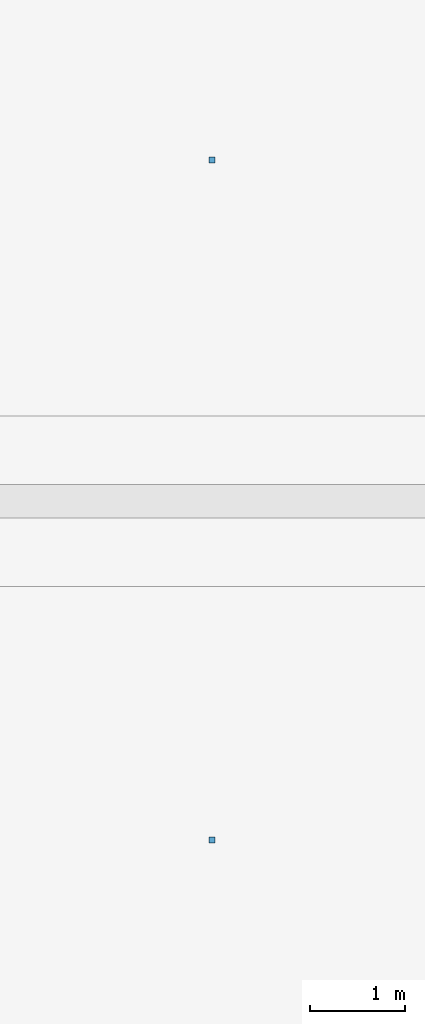
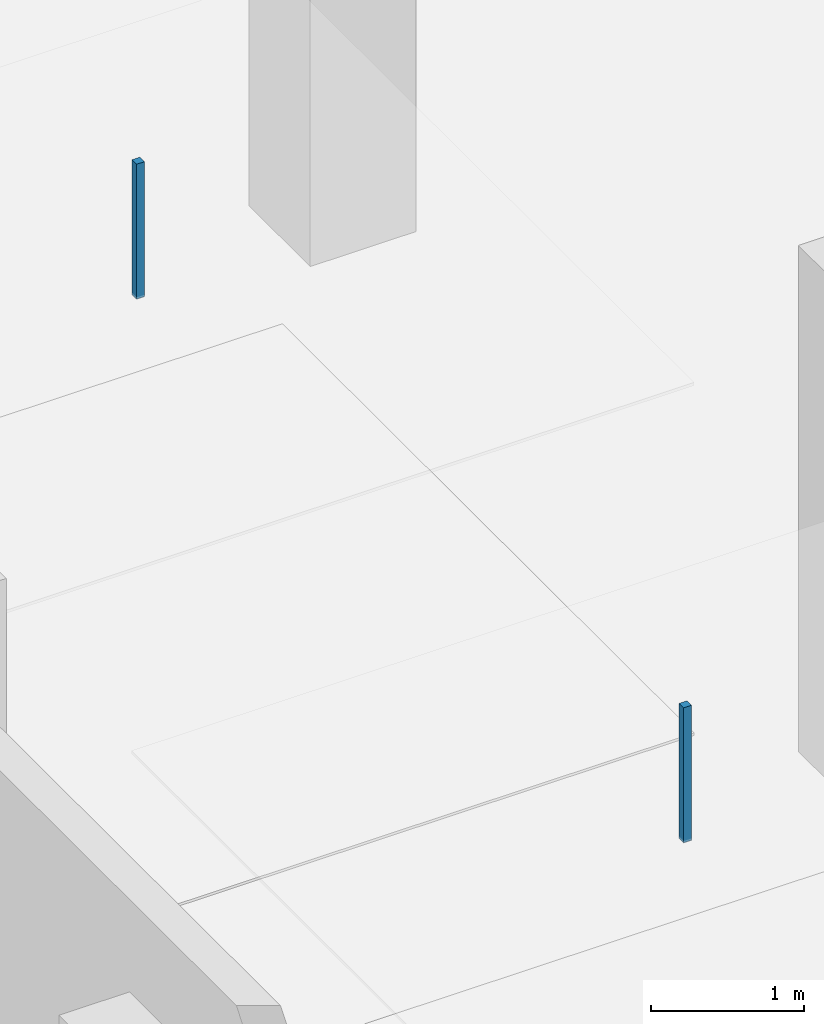
# One storey, part 92 of 108: 2 discrete accessories.
"""IFC4 building model written with IfcOpenShell, lengths in metres."""

from ifc_helpers import new_model, si_unit, direction, frame, origin, origin_2d, place, context, subcontext, project, spatial, rectangle, extrude, material, type_object, element, save


model = new_model("IFC4")

# Units and contexts
model_context = context("Model", 3, precision=1e-05, world=origin(), true_north=direction((0.0, 1.0)))
body_context = subcontext(model_context, "Body", "Model", "MODEL_VIEW")
ifc_project = project(units=[si_unit("LENGTHUNIT", "METRE"), si_unit("AREAUNIT", "SQUARE_METRE"), si_unit("VOLUMEUNIT", "CUBIC_METRE"), si_unit("PLANEANGLEUNIT", "RADIAN"), si_unit("MASSUNIT", "GRAM", prefix="KILO")], contexts=[model_context])

# Site, building, storey
site_placement = place(None, origin())
site = spatial("IfcSite", under=ifc_project, at=site_placement, CompositionType="ELEMENT")
building_placement = place(site_placement, origin())
building = spatial("IfcBuilding", under=site, at=building_placement, Name="Kangsadwip Square Police Headquarters", CompositionType="ELEMENT")
storey_placement = place(building_placement, frame((0.0, 0.0, 9.449951171875)))
storey = spatial("IfcBuildingStorey", under=building, at=storey_placement, Name="L02", CompositionType="ELEMENT", Elevation=9.449951171875)

# Discrete accessories
ifc_material = material(Name="Structural steel IS 2062 E350 (Grade 350, 350 MPa)", Category="steel")
discrete_accessory_type = type_object("IfcDiscreteAccessoryType", Name="VeilOutriggerBracket", PredefinedType="BRACKET", material=ifc_material)
for number, where, z_axis, x_axis, name in (
    (1, (3.64990234375, 75.625, 2.81005859375), (0.0, 0.0, 1.0), (1.0, 0.0, 0.0), "Ceiling Suspension Hanger L02-077"),
    (2, (3.64990234375, 82.800048828125, 2.81005859375), (0.0, 0.0, 1.0), (1.0, 0.0, 0.0), "Ceiling Suspension Hanger L02-078"),
):
    element("IfcDiscreteAccessory", number, at=place(storey_placement, frame(where, z_axis=z_axis, x_axis=x_axis)), inside=storey, type_object=discrete_accessory_type, Name=name, PredefinedType="BRACKET", context=body_context, shape_type="SweptSolid", body=[
        extrude(rectangle(XDim=0.06005859375, YDim=0.06005859375, at=origin_2d()), origin(), (0.0, 0.0, 1.0), 1.080078125),
    ])

save(model, "model.ifc")
